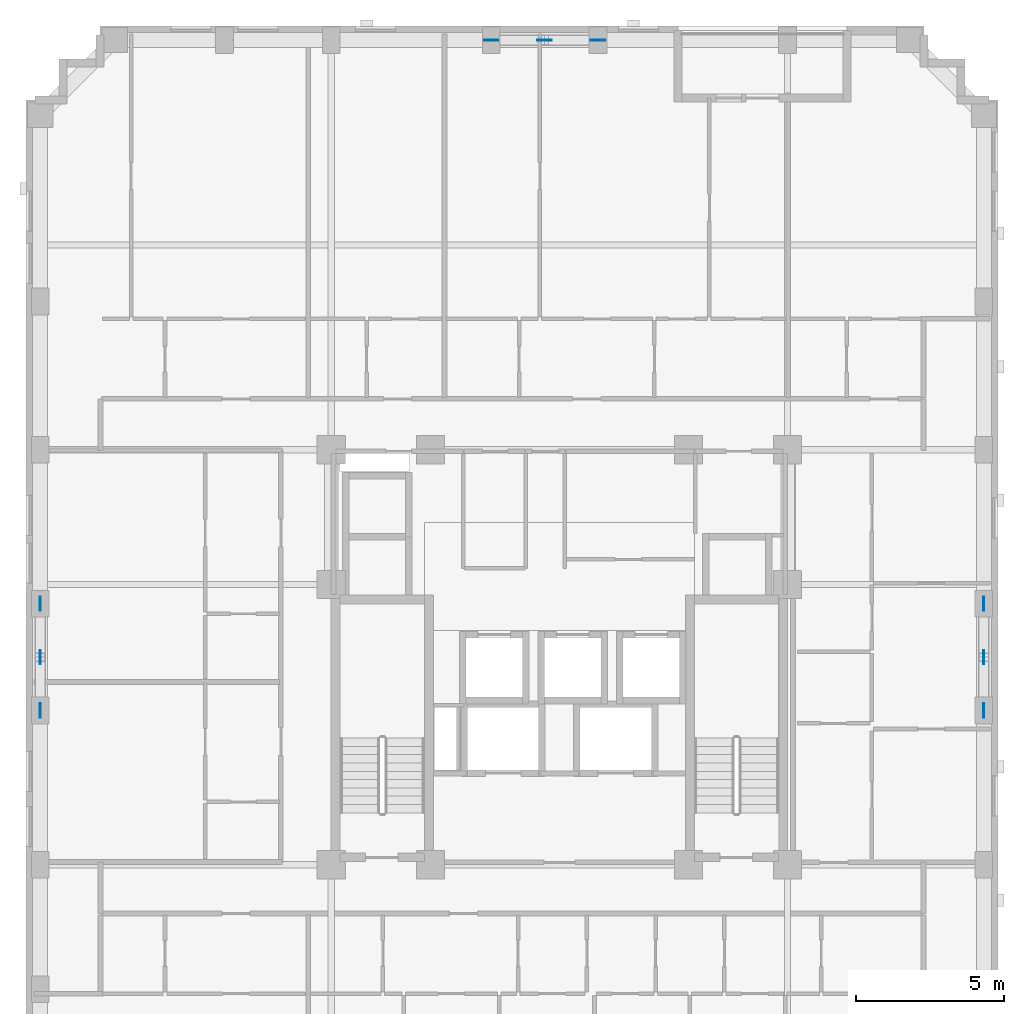
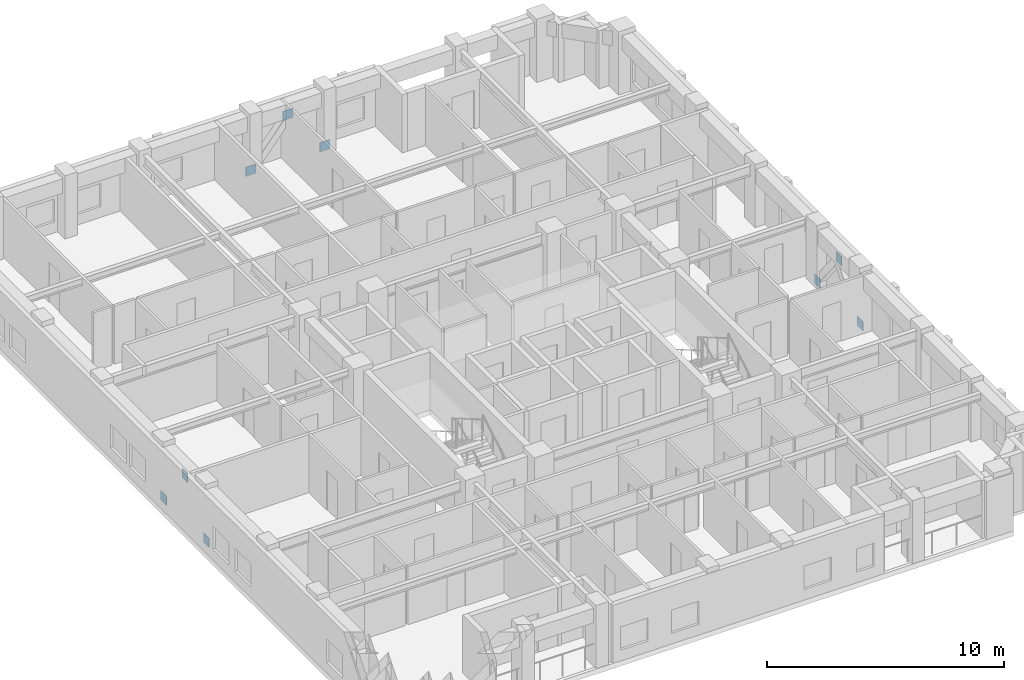
# One storey, part 9 of 11: 9 discrete accessories.
"""IFC4 building model written with IfcOpenShell, lengths in metres."""

from ifc_helpers import new_model, si_unit, derived_unit, direction, frame, origin, origin_2d, place, context, subcontext, project, spatial, rectangle, extrude, material, layer, layer_set, type_object, element, save


model = new_model("IFC4")

# Units and contexts
model_context = context("Model", 3, precision=1e-05, world=origin(), true_north=direction((0.0, 1.0)))
body_context = subcontext(model_context, "Body", "Model", "MODEL_VIEW")
ifc_project = project(units=[si_unit("LENGTHUNIT", "METRE"), si_unit("AREAUNIT", "SQUARE_METRE"), si_unit("VOLUMEUNIT", "CUBIC_METRE"), si_unit("PLANEANGLEUNIT", "RADIAN"), si_unit("MASSUNIT", "GRAM", prefix="KILO"), derived_unit("THERMALTRANSMITTANCEUNIT", [(si_unit("MASSUNIT", "GRAM", prefix="KILO"), 1), (si_unit("TIMEUNIT", "SECOND"), -3), (si_unit("THERMODYNAMICTEMPERATUREUNIT", "KELVIN"), -1)])], contexts=[model_context])

# Site, building, storey
site_placement = place(None, origin())
site = spatial("IfcSite", under=ifc_project, at=site_placement, CompositionType="ELEMENT")
building_placement = place(site_placement, origin())
building = spatial("IfcBuilding", under=site, at=building_placement, Name="Korrvale Station Residences", CompositionType="ELEMENT")
storey_placement = place(building_placement, frame((0.0, 0.0, 147.14990234375)))
storey = spatial("IfcBuildingStorey", under=building, at=storey_placement, Name="L42", CompositionType="ELEMENT", Elevation=147.14990234375)

# Discrete accessories
ifc_material = material(Name="Steel S355", Category="steel")
ifc_layer = layer(ifc_material, 0.02490234375, Name="Steel S355")
ifc_layer_set = layer_set([ifc_layer], Name="Steel S355")
discrete_accessory_type = type_object("IfcDiscreteAccessoryType", Name="ACC-GUSSET-25", PredefinedType="BRACKET", material=ifc_layer_set)
for number, where, z_axis, x_axis, name in (
    (1, (23.199951171875, 42.820068359375, -0.219970703125), (0.0, 0.0, 1.0), (1.0, 0.0, 0.0), "L42 N Brace End Gusset Connection A"),
    (2, (26.800048828125, 42.820068359375, -0.219970703125), (0.0, 0.0, 1.0), (1.0, 0.0, 0.0), "L42 N Brace End Gusset Connection B"),
    (3, (25.0, 42.820068359375, 2.02001953125), (0.0, 0.0, 1.0), (1.0, 0.0, 0.0), "L42 N Brace End Gusset Connection M"),
    (4, (7.97998046875, 20.199951171875, -0.219970703125), (0.0, 0.0, 1.0), (0.0, 1.0, 0.0), "L42 W Brace End Gusset Connection A"),
    (5, (7.97998046875, 23.800048828125, -0.219970703125), (0.0, 0.0, 1.0), (0.0, 1.0, 0.0), "L42 W Brace End Gusset Connection B"),
    (6, (7.97998046875, 22.0, 2.02001953125), (0.0, 0.0, 1.0), (0.0, 1.0, 0.0), "L42 W Brace End Gusset Connection M"),
    (7, (39.820068359375, 20.199951171875, -0.219970703125), (0.0, 0.0, 1.0), (0.0, 1.0, 0.0), "L42 E Brace End Gusset Connection A"),
    (8, (39.820068359375, 23.800048828125, -0.219970703125), (0.0, 0.0, 1.0), (0.0, 1.0, 0.0), "L42 E Brace End Gusset Connection B"),
    (9, (39.820068359375, 22.0, 2.02001953125), (0.0, 0.0, 1.0), (0.0, 1.0, 0.0), "L42 E Brace End Gusset Connection M"),
):
    element("IfcDiscreteAccessory", number, at=place(storey_placement, frame(where, z_axis=z_axis, x_axis=x_axis)), inside=storey, type_object=discrete_accessory_type, Name=name, PredefinedType="BRACKET", context=body_context, shape_type="SweptSolid", body=[
        extrude(rectangle(XDim=0.47998046875, YDim=0.02490234375, at=origin_2d()), origin(), (0.0, 0.0, 1.0), 0.47998046875),
    ])

save(model, "model.ifc")
